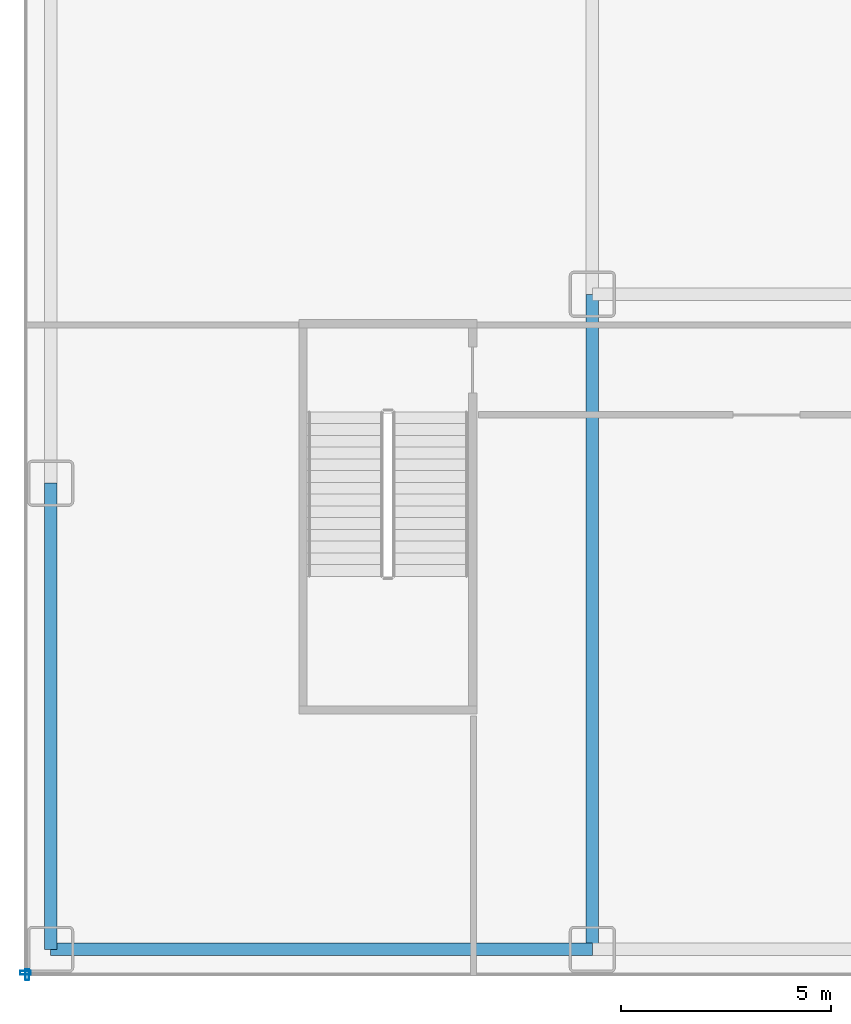
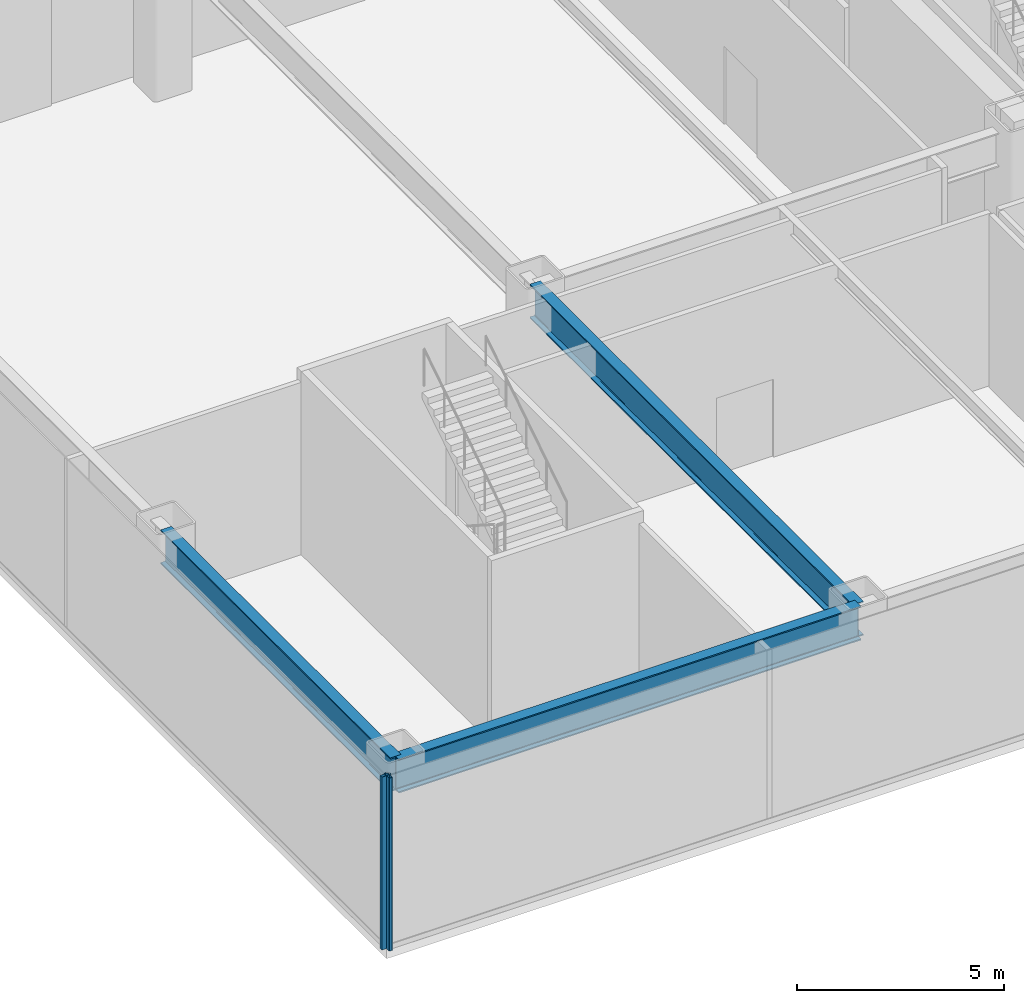
# One storey, part 2 of 24: 3 beams, 2 members, 2 elements without a shape of their own.
"""IFC4 building model written with IfcOpenShell, lengths in metres."""

from ifc_helpers import new_model, si_unit, direction, frame, origin, origin_2d, place, context, subcontext, project, spatial, hollow_rectangle, i_section, extrude, source, transform, mapped, material, layer, layer_set, material_profile, profile_set, type_object, element, aggregate, save


model = new_model("IFC4")

# Units and contexts
model_context = context("Model", 3, precision=1e-05, world=origin(), true_north=direction((0.0, 1.0)))
body_context = subcontext(model_context, "Body", "Model", "MODEL_VIEW")
ifc_project = project(units=[si_unit("LENGTHUNIT", "METRE"), si_unit("AREAUNIT", "SQUARE_METRE"), si_unit("VOLUMEUNIT", "CUBIC_METRE"), si_unit("PLANEANGLEUNIT", "RADIAN"), si_unit("MASSUNIT", "GRAM", prefix="KILO")], contexts=[model_context])

# Site, building, storey
site_placement = place(None, origin())
site = spatial("IfcSite", under=ifc_project, at=site_placement, CompositionType="ELEMENT")
building_placement = place(site_placement, origin())
building = spatial("IfcBuilding", under=site, at=building_placement, Name="Nefas-Gora Pilgrimage Tower", CompositionType="ELEMENT")
storey_placement = place(building_placement, frame((0.0, 0.0, 11.39990234375)))
storey = spatial("IfcBuildingStorey", under=building, at=storey_placement, Name="L02", CompositionType="ELEMENT", Elevation=11.39990234375)

# Beams
ifc_material_1 = material(Name="Steel S460", Category="steel")
ifc_material_profile_1 = material_profile(ifc_material_1, i_section(OverallWidth=0.300048828125, OverallDepth=1.0, WebThickness=0.01904296875, FlangeThickness=0.035888671875, FilletRadius=0.030029296875, at=origin_2d()), Name="HEB 1000")
ifc_profile_set_1 = profile_set([ifc_material_profile_1], Name="Steel S460")
beam_type_1 = type_object("IfcBeamType", Name="BM-POD-HEB1000E", PredefinedType="BEAM", material=ifc_profile_set_1)
shared_shape_1 = source(origin(), body_context, "Body", "SweptSolid", [
    extrude(i_section(OverallWidth=0.300048828125, OverallDepth=1.0, WebThickness=0.01904296875, FlangeThickness=0.035888671875, FilletRadius=0.030029296875, at=origin_2d()), origin(), (0.0, 0.0, 1.0), 12.89990234375),
])
beam_1_placement = place(storey_placement, frame((-37.64990234375, -24.60009765625, 4.60009765625), z_axis=(1.0, 0.0, 0.0), x_axis=(0.0, 1.0, 0.0)))
element("IfcBeam", 1, at=beam_1_placement, inside=storey, type_object=beam_type_1, Name="L02 PG-01E beam", PredefinedType="BEAM", context=body_context, shape_type="MappedRepresentation", body=[
    mapped(shared_shape_1, transform((0.0, 0.0, 0.0), x_axis=(1.0, 0.0, 0.0), y_axis=(0.0, 1.0, 0.0), z_axis=(0.0, 0.0, 1.0), scale=1.0)),
])
shared_shape_2 = source(origin(), body_context, "Body", "SweptSolid", [
    extrude(i_section(OverallWidth=0.300048828125, OverallDepth=1.0, WebThickness=0.01904296875, FlangeThickness=0.035888671875, FilletRadius=0.030029296875, at=origin_2d()), origin(), (0.0, 0.0, 1.0), 11.10009765625),
])
beam_2_placement = place(storey_placement, frame((-37.64990234375, -24.60009765625, 4.60009765625), z_axis=(0.0, 1.0, 0.0), x_axis=(-1.0, 0.0, 0.0)))
element("IfcBeam", 2, at=beam_2_placement, inside=storey, type_object=beam_type_1, Name="L02 PG-01E beam", PredefinedType="BEAM", context=body_context, shape_type="MappedRepresentation", body=[
    mapped(shared_shape_2, transform((0.0, 0.0, 0.0), x_axis=(1.0, 0.0, 0.0), y_axis=(0.0, 1.0, 0.0), z_axis=(0.0, 0.0, 1.0), scale=1.0)),
])
ifc_material_profile_2 = material_profile(ifc_material_1, i_section(OverallWidth=0.300048828125, OverallDepth=1.0, WebThickness=0.01904296875, FlangeThickness=0.035888671875, FilletRadius=0.030029296875, at=origin_2d()), Name="HEB 1000")
ifc_profile_set_2 = profile_set([ifc_material_profile_2], Name="Steel S460")
beam_type_2 = type_object("IfcBeamType", Name="BM-POD-HEB1000", PredefinedType="BEAM", material=ifc_profile_set_2)
shared_shape_3 = source(origin(), body_context, "Body", "SweptSolid", [
    extrude(i_section(OverallWidth=0.300048828125, OverallDepth=1.0, WebThickness=0.01904296875, FlangeThickness=0.035888671875, FilletRadius=0.030029296875, at=origin_2d()), origin(), (0.0, 0.0, 1.0), 15.60009765625),
])
beam_3_placement = place(storey_placement, frame((-24.75, -24.60009765625, 4.60009765625), z_axis=(0.0, 1.0, 0.0), x_axis=(-1.0, 0.0, 0.0)))
element("IfcBeam", 3, at=beam_3_placement, inside=storey, type_object=beam_type_2, Name="L02 PG-01 beam", PredefinedType="BEAM", context=body_context, shape_type="MappedRepresentation", body=[
    mapped(shared_shape_3, transform((0.0, 0.0, 0.0), x_axis=(1.0, 0.0, 0.0), y_axis=(0.0, 1.0, 0.0), z_axis=(0.0, 0.0, 1.0), scale=1.0)),
])

# Curtain wall, member
ifc_material_2 = material(Name="Dark ceramic-fritted solar-control aluminium-glass curtain wall", Category="aluminium")
ifc_layer = layer(ifc_material_2, 0.219970703125)
ifc_layer_set = layer_set([ifc_layer], Name="Dark ceramic-fritted solar-control aluminium-glass curtain wall")
curtain_wall_type = type_object("IfcCurtainWallType", Name="CW-SYS-1", PredefinedType="NOTDEFINED", material=ifc_layer_set)
curtain_wall_1_placement = place(storey_placement, origin())
curtain_wall_1 = element("IfcCurtainWall", 4, at=curtain_wall_1_placement, inside=storey, type_object=curtain_wall_type, Name="L02 Unitised Curtain Wall CW1", PredefinedType="NOTDEFINED")
ifc_material_3 = material(Name="Anodised architectural aluminium", Category="aluminium")
ifc_material_profile_3 = material_profile(ifc_material_3, hollow_rectangle(XDim=0.090087890625, YDim=0.260009765625, WallThickness=0.006103515625, InnerFilletRadius=0.006103515625, OuterFilletRadius=0.011962890625, at=origin_2d()), Name="ALU MULLION 90x260")
ifc_profile_set_3 = profile_set([ifc_material_profile_3], Name="Anodised architectural aluminium")
member_type = type_object("IfcMemberType", Name="CWM-MUL-1", PredefinedType="MULLION", material=ifc_profile_set_3)
shared_shape_4 = source(origin(), body_context, "Body", "SweptSolid", [
    extrude(hollow_rectangle(XDim=0.090087890625, YDim=0.260009765625, WallThickness=0.006103515625, InnerFilletRadius=0.006103515625, OuterFilletRadius=0.011962890625, at=origin_2d()), origin(), (0.0, 0.0, 1.0), 5.10009765625),
])
member_1_placement = place(storey_placement, frame((-38.25, -25.155029296875, 0.0), z_axis=(0.0, 0.0, 1.0), x_axis=(0.0, -1.0, 0.0)))
member_1 = element("IfcMember", 5, at=member_1_placement, type_object=member_type, Name="CW1 Mullion 3", PredefinedType="MULLION", context=body_context, shape_type="MappedRepresentation", body=[
    mapped(shared_shape_4, transform((0.0, 0.0, 0.0), x_axis=(1.0, 0.0, 0.0), y_axis=(0.0, 1.0, 0.0), z_axis=(0.0, 0.0, 1.0), scale=1.0)),
])
aggregate(curtain_wall_1, [member_1])

curtain_wall_2_placement = place(storey_placement, origin())
curtain_wall_2 = element("IfcCurtainWall", 6, at=curtain_wall_2_placement, inside=storey, type_object=curtain_wall_type, Name="L02 Unitised Curtain Wall CW1", PredefinedType="NOTDEFINED")
member_2_placement = place(storey_placement, frame((-38.205078125, -25.199951171875, 0.0), z_axis=(0.0, 0.0, 1.0), x_axis=(1.0, 0.0, 0.0)))
member_2 = element("IfcMember", 7, at=member_2_placement, type_object=member_type, Name="CW1 Mullion 1", PredefinedType="MULLION", context=body_context, shape_type="MappedRepresentation", body=[
    mapped(shared_shape_4, transform((0.0, 0.0, 0.0), x_axis=(1.0, 0.0, 0.0), y_axis=(0.0, 1.0, 0.0), z_axis=(0.0, 0.0, 1.0), scale=1.0)),
])
aggregate(curtain_wall_2, [member_2])

save(model, "model.ifc")
